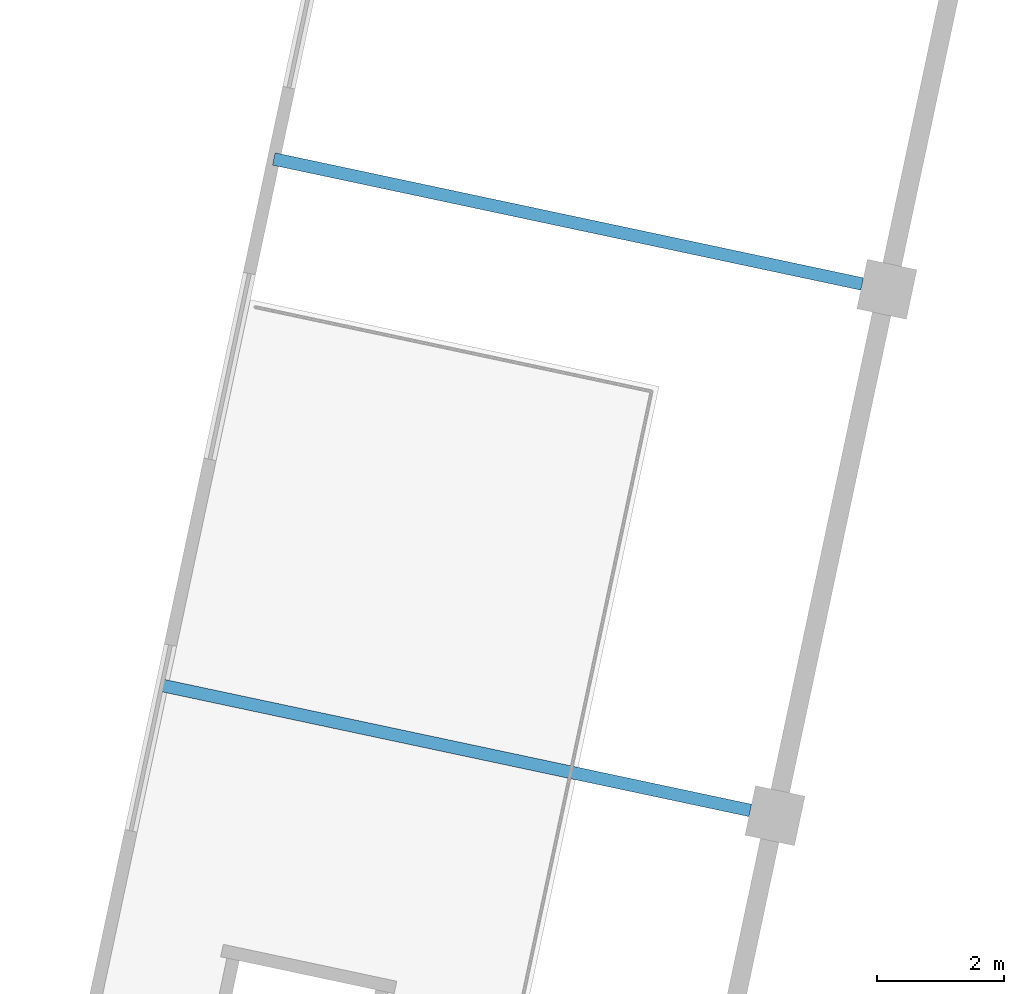
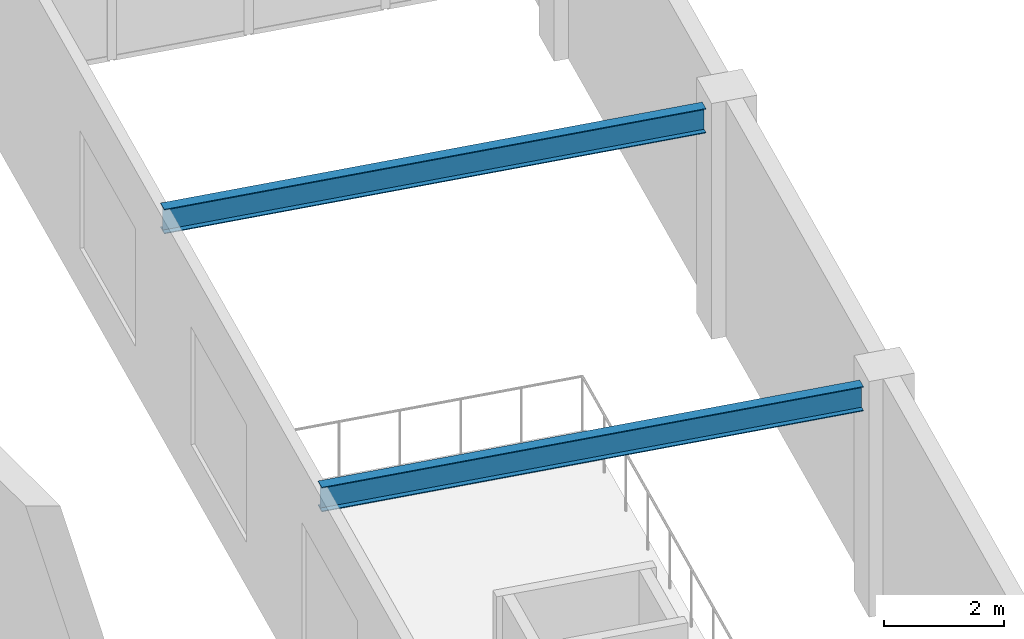
# One storey, part 66 of 182: 2 beams.
"""IFC4 building model written with IfcOpenShell, lengths in metres."""

from ifc_helpers import new_model, si_unit, direction, frame, origin, origin_2d, place, context, subcontext, project, spatial, i_section, extrude, material, material_profile, profile_set, type_object, element, save


model = new_model("IFC4")

# Units and contexts
model_context = context("Model", 3, precision=1e-05, world=origin(), true_north=direction((0.0, 1.0)))
body_context = subcontext(model_context, "Body", "Model", "MODEL_VIEW")
ifc_project = project(units=[si_unit("LENGTHUNIT", "METRE"), si_unit("AREAUNIT", "SQUARE_METRE"), si_unit("VOLUMEUNIT", "CUBIC_METRE"), si_unit("PLANEANGLEUNIT", "RADIAN"), si_unit("MASSUNIT", "GRAM", prefix="KILO")], contexts=[model_context])

# Site, building, storey
site_placement = place(None, origin())
site = spatial("IfcSite", under=ifc_project, at=site_placement, CompositionType="ELEMENT")
building_placement = place(site_placement, origin())
building = spatial("IfcBuilding", under=site, at=building_placement, Name="Okhra Congress Centre", CompositionType="ELEMENT")
storey_placement = place(building_placement, frame((0.0, 0.0, 7.199951171875)))
storey = spatial("IfcBuildingStorey", under=building, at=storey_placement, Name="L01", CompositionType="ELEMENT", Elevation=7.199951171875)

# Beams
ifc_material = material(Name="Steel S355J2", Category="steel")
ifc_material_profile = material_profile(ifc_material, i_section(OverallWidth=0.199951171875, OverallDepth=0.5, WebThickness=0.01025390625, FlangeThickness=0.01611328125, at=origin_2d()), Name="IPE 500")
ifc_profile_set = profile_set([ifc_material_profile], Name="Steel S355J2")
beam_type = type_object("IfcBeamType", Name="Steel foyer roof beam IPE 500", PredefinedType="BEAM", material=ifc_profile_set)
beam_1_placement = place(storey_placement, frame((195.56787109375, 122.67529296875, 4.25), z_axis=(0.978148203308, -0.207908855909, 0.0), x_axis=(0.207908855909, 0.978148203308, 0.0)))
element("IfcBeam", 1, at=beam_1_placement, inside=storey, type_object=beam_type, Name="Foyer roof beam 4", PredefinedType="BEAM", context=body_context, shape_type="SweptSolid", body=[
    extrude(i_section(OverallWidth=0.199951171875, OverallDepth=0.5, WebThickness=0.01025390625, FlangeThickness=0.01611328125, at=origin_2d()), origin(), (0.0, 0.0, 1.0), 9.499755859375),
])
beam_2_placement = place(storey_placement, frame((197.3349609375, 130.989501953125, 4.25), z_axis=(0.978149314154, -0.207903629644, 0.0), x_axis=(0.207903629644, 0.978149314154, 0.0)))
element("IfcBeam", 2, at=beam_2_placement, inside=storey, type_object=beam_type, Name="Foyer roof beam 5", PredefinedType="BEAM", context=body_context, shape_type="SweptSolid", body=[
    extrude(i_section(OverallWidth=0.199951171875, OverallDepth=0.5, WebThickness=0.01025390625, FlangeThickness=0.01611328125, at=origin_2d()), origin(), (0.0, 0.0, 1.0), 9.5),
])

save(model, "model.ifc")
